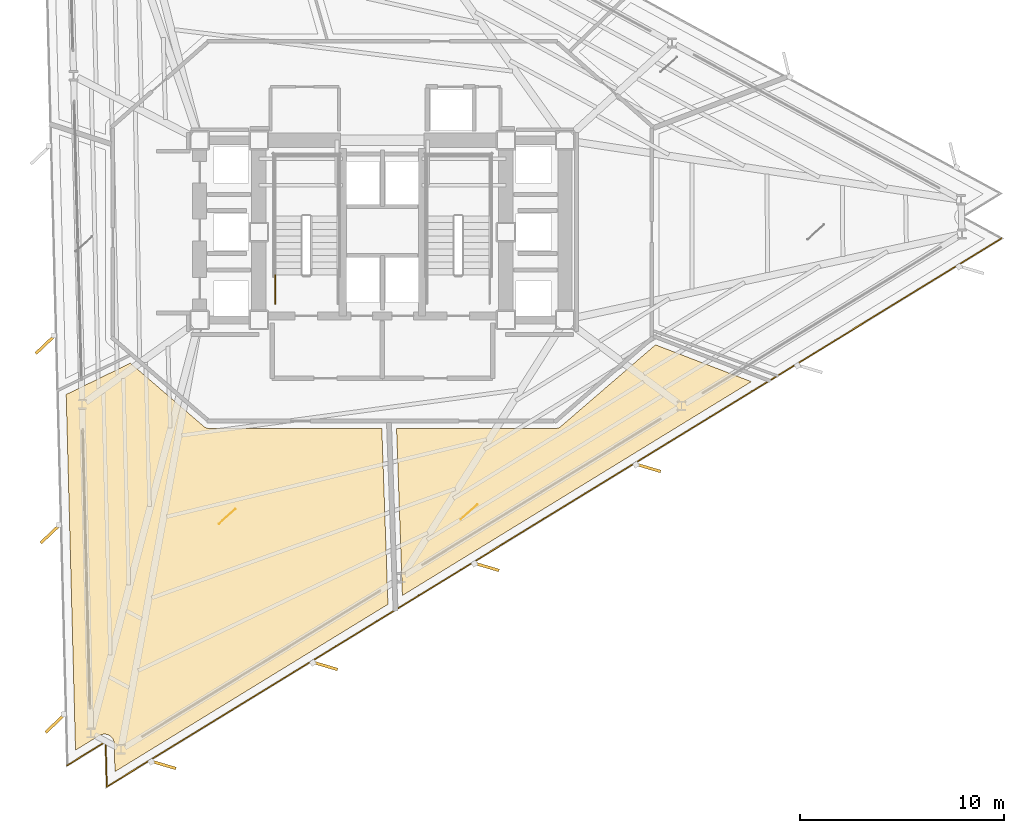
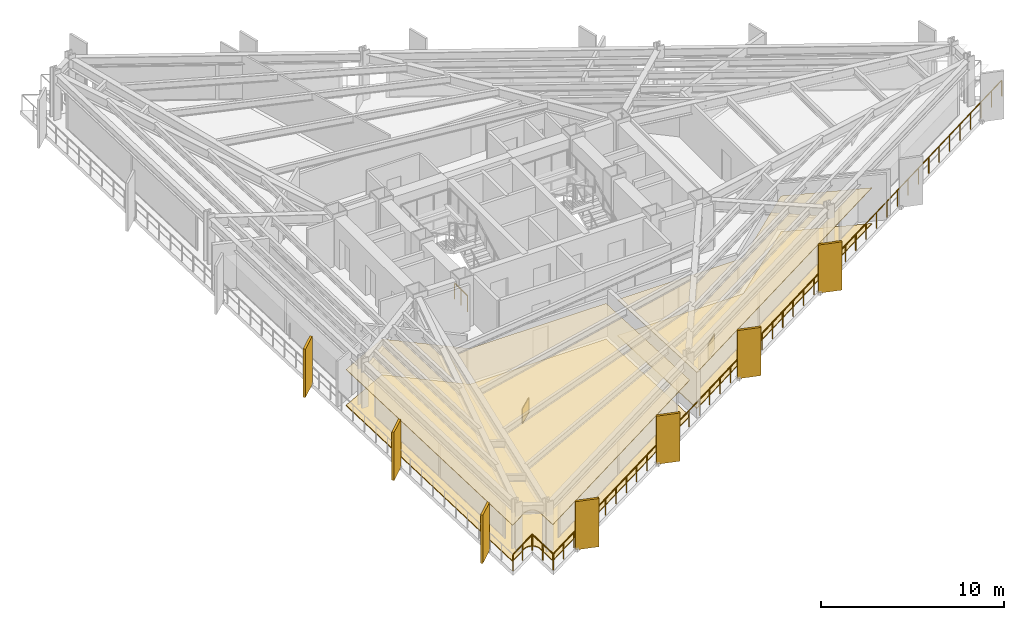
# One storey, part 10 of 14: 7 shading devices, 6 coverings, 2 railings.
"""IFC4 building model written with IfcOpenShell, lengths in metres."""

from ifc_helpers import new_model, si_unit, direction, frame, origin, origin_2d, place, context, subcontext, project, spatial, polyline, rectangle, outline, extrude, material, layer, layer_set, type_object, element, save


model = new_model("IFC4")

# Units and contexts
model_context = context("Model", 3, precision=1e-05, world=origin(), true_north=direction((0.0, 1.0)))
body_context = subcontext(model_context, "Body", "Model", "MODEL_VIEW")
ifc_project = project(units=[si_unit("LENGTHUNIT", "METRE"), si_unit("AREAUNIT", "SQUARE_METRE"), si_unit("VOLUMEUNIT", "CUBIC_METRE"), si_unit("PLANEANGLEUNIT", "RADIAN"), si_unit("MASSUNIT", "GRAM", prefix="KILO")], contexts=[model_context])

# Site, building, storey
site_placement = place(None, origin())
site = spatial("IfcSite", under=ifc_project, at=site_placement, CompositionType="ELEMENT")
building_placement = place(site_placement, origin())
building = spatial("IfcBuilding", under=site, at=building_placement, Name="Rocaltana Carrier Exchange", CompositionType="ELEMENT")
storey_placement = place(building_placement, frame((0.0, 0.0, 22.239990234375)))
storey = spatial("IfcBuildingStorey", under=building, at=storey_placement, Name="L07", CompositionType="ELEMENT", Elevation=22.239990234375)

# Coverings
ifc_material_1 = material(Name="Calcium Sulphate & Aluminium Pedestal", Category="aluminium")
ifc_layer_1 = layer(ifc_material_1, 0.06005859375)
ifc_layer_set_1 = layer_set([ifc_layer_1], Name="Calcium Sulphate & Aluminium Pedestal")
covering_type_1 = type_object("IfcCoveringType", Name="Anti-Static Raised Exchange Access Floor 60", PredefinedType="FLOORING", material=ifc_layer_set_1)
covering_1_placement = place(storey_placement, origin())
element("IfcCovering", 1, at=covering_1_placement, inside=storey, type_object=covering_type_1, Name="L07 Network Operations Office Finish Floor", PredefinedType="FLOORING", context=body_context, shape_type="SweptSolid", body=[
    extrude(outline(polyline([(-13.12939453125, -25.05224609375), (-13.1298828125, -25.038330078125), (-13.131591796875, -25.018310546875), (-13.135009765625, -24.99072265625), (-13.138427734375, -24.97119140625), (-13.144775390625, -24.94384765625), (-13.150146484375, -24.9248046875), (-13.1591796875, -24.898193359375), (-13.16650390625, -24.879638671875), (-13.177978515625, -24.854248046875), (-13.18701171875, -24.83642578125), (-13.200927734375, -24.8125), (-13.2119140625, -24.795654296875), (-13.228271484375, -24.77294921875), (-13.240478515625, -24.75732421875), (-13.259033203125, -24.736572265625), (-13.273193359375, -24.722412109375), (-13.29345703125, -24.703369140625), (-13.308837890625, -24.6904296875), (-13.3310546875, -24.673583984375), (-13.34765625, -24.66259765625), (-13.371337890625, -24.64794921875), (-13.388916015625, -24.638427734375), (-13.4140625, -24.626220703125), (-13.4326171875, -24.61865234375), (-13.458740234375, -24.609130859375), (-13.477783203125, -24.603271484375), (-13.5048828125, -24.596435546875), (-13.5244140625, -24.592529296875), (-13.552001953125, -24.58837890625), (-13.57177734375, -24.58642578125), (-13.599609375, -24.5849609375), (-13.61962890625, -24.585205078125), (-13.6474609375, -24.58642578125), (-13.66748046875, -24.58837890625), (-13.695068359375, -24.5927734375), (-13.714599609375, -24.5966796875), (-13.74169921875, -24.603515625), (-13.760498046875, -24.609619140625), (-13.786865234375, -24.619140625), (-13.80517578125, -24.626708984375), (-13.830322265625, -24.638916015625), (-13.847900390625, -24.6484375), (-13.85986328125, -24.655517578125), (-15.02685546875, -25.37060546875), (-15.48291015625, -7.9521484375), (-12.337890625, -6.418212890625), (-8.735107421875, -9.522705078125), (-8.72412109375, -9.53173828125), (-8.717529296875, -9.53662109375), (-8.6943359375, -9.552978515625), (-8.6875, -9.557373046875), (-8.66259765625, -9.571044921875), (-8.6552734375, -9.57470703125), (-8.629150390625, -9.5859375), (-8.62158203125, -9.5888671875), (-8.594482421875, -9.597412109375), (-8.58642578125, -9.599365234375), (-8.55859375, -9.60498046875), (-8.550537109375, -9.606201171875), (-8.522216796875, -9.609130859375), (-8.51416015625, -9.609619140625), (-8.5, -9.610107421875), (-0.024658203125, -9.610107421875), (0.2763671875, -18.2275390625), (-13.093505859375, -26.42041015625), (-13.12939453125, -25.05224609375)])), origin(), (0.0, 0.0, 1.0), 0.06005859375),
])
covering_2_placement = place(storey_placement, origin())
element("IfcCovering", 2, at=covering_2_placement, inside=storey, type_object=covering_type_1, Name="L07 Cloud Architecture Office Finish Floor", PredefinedType="FLOORING", context=body_context, shape_type="SweptSolid", body=[
    extrude(outline(polyline([(0.981689453125, -17.795166015625), (0.69580078125, -9.610107421875), (8.5, -9.610107421875), (8.51416015625, -9.609619140625), (8.522216796875, -9.609130859375), (8.550537109375, -9.606201171875), (8.55859375, -9.60498046875), (8.58642578125, -9.599365234375), (8.594482421875, -9.597412109375), (8.62158203125, -9.5888671875), (8.629150390625, -9.5859375), (8.6552734375, -9.57470703125), (8.66259765625, -9.571044921875), (8.6875, -9.557373046875), (8.6943359375, -9.552978515625), (8.717529296875, -9.53662109375), (8.72412109375, -9.53173828125), (8.735107421875, -9.522705078125), (13.378662109375, -5.521240234375), (18.0712890625, -7.322509765625), (0.981689453125, -17.795166015625)])), origin(), (0.0, 0.0, 1.0), 0.06005859375),
])
ifc_material_2 = material(Name="Mineral Fibre & Powder-Coated Aluminium", Category="aluminium")
ifc_layer_2 = layer(ifc_material_2, 0.044921875)
ifc_layer_set_2 = layer_set([ifc_layer_2], Name="Mineral Fibre & Powder-Coated Aluminium")
covering_type_2 = type_object("IfcCoveringType", Name="Micro-Perforated Acoustic Ceiling 45", PredefinedType="CEILING", material=ifc_layer_set_2)
covering_3_placement = place(storey_placement, frame((0.0, 0.0, 2.403076171875)))
element("IfcCovering", 3, at=covering_3_placement, inside=storey, type_object=covering_type_2, Name="L07 Network Operations Office Acoustic Ceiling", PredefinedType="CEILING", context=body_context, shape_type="SweptSolid", body=[
    extrude(outline(polyline([(-13.12939453125, -25.05224609375), (-13.1298828125, -25.038330078125), (-13.131591796875, -25.018310546875), (-13.135009765625, -24.99072265625), (-13.138427734375, -24.97119140625), (-13.144775390625, -24.94384765625), (-13.150146484375, -24.9248046875), (-13.1591796875, -24.898193359375), (-13.16650390625, -24.879638671875), (-13.177978515625, -24.854248046875), (-13.18701171875, -24.83642578125), (-13.200927734375, -24.8125), (-13.2119140625, -24.795654296875), (-13.228271484375, -24.77294921875), (-13.240478515625, -24.75732421875), (-13.259033203125, -24.736572265625), (-13.273193359375, -24.722412109375), (-13.29345703125, -24.703369140625), (-13.308837890625, -24.6904296875), (-13.3310546875, -24.673583984375), (-13.34765625, -24.66259765625), (-13.371337890625, -24.64794921875), (-13.388916015625, -24.638427734375), (-13.4140625, -24.626220703125), (-13.4326171875, -24.61865234375), (-13.458740234375, -24.609130859375), (-13.477783203125, -24.603271484375), (-13.5048828125, -24.596435546875), (-13.5244140625, -24.592529296875), (-13.552001953125, -24.58837890625), (-13.57177734375, -24.58642578125), (-13.599609375, -24.5849609375), (-13.61962890625, -24.585205078125), (-13.6474609375, -24.58642578125), (-13.66748046875, -24.58837890625), (-13.695068359375, -24.5927734375), (-13.714599609375, -24.5966796875), (-13.74169921875, -24.603515625), (-13.760498046875, -24.609619140625), (-13.786865234375, -24.619140625), (-13.80517578125, -24.626708984375), (-13.830322265625, -24.638916015625), (-13.847900390625, -24.6484375), (-13.85986328125, -24.655517578125), (-15.02685546875, -25.37060546875), (-15.48291015625, -7.9521484375), (-12.337890625, -6.418212890625), (-8.735107421875, -9.522705078125), (-8.72412109375, -9.53173828125), (-8.717529296875, -9.53662109375), (-8.6943359375, -9.552978515625), (-8.6875, -9.557373046875), (-8.66259765625, -9.571044921875), (-8.6552734375, -9.57470703125), (-8.629150390625, -9.5859375), (-8.62158203125, -9.5888671875), (-8.594482421875, -9.597412109375), (-8.58642578125, -9.599365234375), (-8.55859375, -9.60498046875), (-8.550537109375, -9.606201171875), (-8.522216796875, -9.609130859375), (-8.51416015625, -9.609619140625), (-8.5, -9.610107421875), (-0.024658203125, -9.610107421875), (0.2763671875, -18.2275390625), (-13.093505859375, -26.42041015625), (-13.12939453125, -25.05224609375)])), origin(), (0.0, 0.0, 1.0), 0.044921875),
])
covering_4_placement = place(storey_placement, frame((0.0, 0.0, 2.403076171875)))
element("IfcCovering", 4, at=covering_4_placement, inside=storey, type_object=covering_type_2, Name="L07 Cloud Architecture Office Acoustic Ceiling", PredefinedType="CEILING", context=body_context, shape_type="SweptSolid", body=[
    extrude(outline(polyline([(0.981689453125, -17.795166015625), (0.69580078125, -9.610107421875), (8.5, -9.610107421875), (8.51416015625, -9.609619140625), (8.522216796875, -9.609130859375), (8.550537109375, -9.606201171875), (8.55859375, -9.60498046875), (8.58642578125, -9.599365234375), (8.594482421875, -9.597412109375), (8.62158203125, -9.5888671875), (8.629150390625, -9.5859375), (8.6552734375, -9.57470703125), (8.66259765625, -9.571044921875), (8.6875, -9.557373046875), (8.6943359375, -9.552978515625), (8.717529296875, -9.53662109375), (8.72412109375, -9.53173828125), (8.735107421875, -9.522705078125), (13.378662109375, -5.521240234375), (18.0712890625, -7.322509765625), (0.981689453125, -17.795166015625)])), origin(), (0.0, 0.0, 1.0), 0.044921875),
])

# Railing
ifc_material_3 = material(Name="Powder-Coated Aluminium 6063-T6", Category="aluminium")
ifc_layer_3 = layer(ifc_material_3, 0.048095703125)
ifc_layer_set_3 = layer_set([ifc_layer_3], Name="Powder-Coated Aluminium 6063-T6")
railing_type_1 = type_object("IfcRailingType", Name="Stair Well Guardrail 1100", PredefinedType="GUARDRAIL", material=ifc_layer_set_3)
railing_1_placement = place(storey_placement, frame((-5.25, -3.5, 0.0)))
element("IfcRailing", 5, at=railing_1_placement, inside=storey, type_object=railing_type_1, Name="L07 ST-1 stair guard 9", PredefinedType="GUARDRAIL", context=body_context, shape_type="SweptSolid", body=[
    extrude(rectangle(XDim=0.048095703125, YDim=0.048095703125, at=origin_2d()), frame((0.0, 0.0, 1.076171875), z_axis=(0.0, 1.0, 0.0), x_axis=(-1.0, 0.0, 0.0)), (0.0, 0.0, 1.0), 1.39990234375),
    extrude(rectangle(XDim=0.0419921875, YDim=0.0419921875, at=origin_2d()), origin(), (0.0, 0.0, 1.0), 1.052001953125),
    extrude(rectangle(XDim=0.0419921875, YDim=0.0419921875, at=origin_2d()), frame((0.0, 0.699951171875, 0.0)), (0.0, 0.0, 1.0), 1.052001953125),
    extrude(rectangle(XDim=0.0419921875, YDim=0.0419921875, at=origin_2d()), frame((0.0, 1.39990234375, 0.0)), (0.0, 0.0, 1.0), 1.052001953125),
])

# Coverings
ifc_material_4 = material(Name="Honed Piedra Muneca Sandstone", Category="masonry")
ifc_layer_4 = layer(ifc_material_4, 0.034912109375)
ifc_layer_set_4 = layer_set([ifc_layer_4], Name="Honed Piedra Muneca Sandstone")
covering_type_3 = type_object("IfcCoveringType", Name="Stone Facade Cladding 35", PredefinedType="CLADDING", material=ifc_layer_set_4)
for number, where, z_axis, x_axis, name in (
    (6, (-7.600341796875, -13.918701171875, 0.0), (0.0, 0.0, 1.0), (0.743144825477, 0.669130606359, 0.0), "L07 Stone Facade Cladding Panel 2"),
    (7, (4.24951171875, -13.70263671875, 0.0), (0.0, 0.0, 1.0), (0.743144825477, 0.669130606359, 0.0), "L07 Stone Facade Cladding Panel 3"),
):
    element("IfcCovering", number, at=place(storey_placement, frame(where, z_axis=z_axis, x_axis=x_axis)), inside=storey, type_object=covering_type_3, Name=name, PredefinedType="CLADDING", context=body_context, shape_type="SweptSolid", body=[
        extrude(rectangle(XDim=1.10009765625, YDim=0.034912109375, at=origin_2d()), origin(), (0.0, 0.0, 1.0), 1.050048828125),
    ])

# Shading devices
ifc_material_5 = material(Name="Honed Bogota Sandstone & Concrete C45/55", Category="masonry")
ifc_layer_5 = layer(ifc_material_5, 0.139892578125)
ifc_layer_set_5 = layer_set([ifc_layer_5], Name="Honed Bogota Sandstone & Concrete C45/55")
shading_device_type = type_object("IfcShadingDeviceType", Name="Vertical Sandstone Shading Fin 1320x140", PredefinedType="USERDEFINED", material=ifc_layer_set_5)
for number, where, z_axis, x_axis, name in (
    (8, (-16.488525390625, -5.48828125, -0.1201171875), (0.0, 0.0, 1.0), (-0.725374371012, -0.688354575694, 0.0), "L07 Sandstone Vertical Fin F2-04"),
    (9, (-16.24560546875, -14.76513671875, -0.1201171875), (0.0, 0.0, 1.0), (-0.725374371012, -0.688354575694, 0.0), "L07 Sandstone Vertical Fin F2-05"),
    (10, (-16.002685546875, -24.0419921875, -0.1201171875), (0.0, 0.0, 1.0), (-0.725374371012, -0.688354575694, 0.0), "L07 Sandstone Vertical Fin F2-06"),
    (11, (-10.740234375, -26.081787109375, -0.1201171875), (0.0, 0.0, 1.0), (0.958819734868, -0.284015344704, 0.0), "L07 Sandstone Vertical Fin F3-01"),
    (12, (-2.82763671875, -21.23291015625, -0.1201171875), (0.0, 0.0, 1.0), (0.958819734868, -0.284015344704, 0.0), "L07 Sandstone Vertical Fin F3-02"),
    (13, (5.084716796875, -16.384033203125, -0.1201171875), (0.0, 0.0, 1.0), (0.958819734868, -0.284015344704, 0.0), "L07 Sandstone Vertical Fin F3-03"),
    (14, (12.997314453125, -11.535400390625, -0.1201171875), (0.0, 0.0, 1.0), (0.958819734868, -0.284015344704, 0.0), "L07 Sandstone Vertical Fin F3-04"),
):
    element("IfcShadingDevice", number, at=place(storey_placement, frame(where, z_axis=z_axis, x_axis=x_axis)), inside=storey, type_object=shading_device_type, Name=name, ObjectType="FIN", PredefinedType="USERDEFINED", context=body_context, shape_type="SweptSolid", body=[
        extrude(rectangle(XDim=1.320068359375, YDim=0.139892578125, at=origin_2d()), origin(), (0.0, 0.0, 1.0), 3.218017578125),
    ])

# Railing
ifc_material_6 = material(Name="Powder-Coated Aluminium 6063-T6", Category="aluminium")
ifc_layer_6 = layer(ifc_material_6, 0.06005859375)
ifc_layer_set_6 = layer_set([ifc_layer_6], Name="Powder-Coated Aluminium 6063-T6")
railing_type_2 = type_object("IfcRailingType", Name="Wind-Floor & Terrace Perimeter Guardrail 1100", PredefinedType="GUARDRAIL", material=ifc_layer_set_6)
railing_2_placement = place(storey_placement, frame((30.32470703125, -0.306396484375, 0.0)))
element("IfcRailing", 15, at=railing_2_placement, inside=storey, type_object=railing_type_2, Name="L07 Perimeter Balcony Guardrail 1", PredefinedType="GUARDRAIL", context=body_context, shape_type="SweptSolid", body=[
    extrude(rectangle(XDim=0.048095703125, YDim=0.048095703125, at=origin_2d()), frame((0.0, 0.0, 1.076171875), z_axis=(-0.852639552838, -0.522499562619, 0.0), x_axis=(0.522499562619, -0.852639552838, 0.0)), (0.0, 0.0, 1.0), 51.39208984375),
    extrude(rectangle(XDim=0.048095703125, YDim=0.048095703125, at=origin_2d()), frame((-43.81884765625, -26.852294921875, 1.076171875), z_axis=(-0.026187042546, 0.999657060598, 0.0), x_axis=(-0.999657060598, -0.026187042546, 0.0)), (0.0, 0.0, 1.0), 2.2001953125),
    extrude(rectangle(XDim=0.048095703125, YDim=0.048095703125, at=origin_2d()), frame((-43.87646484375, -24.65283203125, 1.076171875), z_axis=(-0.852598062579, -0.522567262356, 0.0), x_axis=(0.522567262356, -0.852598062579, 0.0)), (0.0, 0.0, 1.0), 2.199951171875),
    extrude(rectangle(XDim=0.0419921875, YDim=0.0419921875, at=origin_2d()), origin(), (0.0, 0.0, 1.0), 1.052001953125),
    extrude(rectangle(XDim=0.0419921875, YDim=0.0419921875, at=origin_2d()), frame((-1.01904296875, -0.62451171875, 0.0)), (0.0, 0.0, 1.0), 1.052001953125),
    extrude(rectangle(XDim=0.0419921875, YDim=0.0419921875, at=origin_2d()), frame((-2.0380859375, -1.2490234375, 0.0)), (0.0, 0.0, 1.0), 1.052001953125),
    extrude(rectangle(XDim=0.0419921875, YDim=0.0419921875, at=origin_2d()), frame((-3.05712890625, -1.87353515625, 0.0)), (0.0, 0.0, 1.0), 1.052001953125),
    extrude(rectangle(XDim=0.0419921875, YDim=0.0419921875, at=origin_2d()), frame((-4.076171875, -2.497802734375, 0.0)), (0.0, 0.0, 1.0), 1.052001953125),
    extrude(rectangle(XDim=0.0419921875, YDim=0.0419921875, at=origin_2d()), frame((-5.09521484375, -3.122314453125, 0.0)), (0.0, 0.0, 1.0), 1.052001953125),
    extrude(rectangle(XDim=0.0419921875, YDim=0.0419921875, at=origin_2d()), frame((-6.1142578125, -3.746826171875, 0.0)), (0.0, 0.0, 1.0), 1.052001953125),
    extrude(rectangle(XDim=0.0419921875, YDim=0.0419921875, at=origin_2d()), frame((-7.13330078125, -4.371337890625, 0.0)), (0.0, 0.0, 1.0), 1.052001953125),
    extrude(rectangle(XDim=0.0419921875, YDim=0.0419921875, at=origin_2d()), frame((-8.15234375, -4.995849609375, 0.0)), (0.0, 0.0, 1.0), 1.052001953125),
    extrude(rectangle(XDim=0.0419921875, YDim=0.0419921875, at=origin_2d()), frame((-9.17138671875, -5.620361328125, 0.0)), (0.0, 0.0, 1.0), 1.052001953125),
    extrude(rectangle(XDim=0.0419921875, YDim=0.0419921875, at=origin_2d()), frame((-10.1904296875, -6.24462890625, 0.0)), (0.0, 0.0, 1.0), 1.052001953125),
    extrude(rectangle(XDim=0.0419921875, YDim=0.0419921875, at=origin_2d()), frame((-11.20947265625, -6.869140625, 0.0)), (0.0, 0.0, 1.0), 1.052001953125),
    extrude(rectangle(XDim=0.0419921875, YDim=0.0419921875, at=origin_2d()), frame((-12.228515625, -7.49365234375, 0.0)), (0.0, 0.0, 1.0), 1.052001953125),
    extrude(rectangle(XDim=0.0419921875, YDim=0.0419921875, at=origin_2d()), frame((-13.24755859375, -8.1181640625, 0.0)), (0.0, 0.0, 1.0), 1.052001953125),
    extrude(rectangle(XDim=0.0419921875, YDim=0.0419921875, at=origin_2d()), frame((-14.2666015625, -8.74267578125, 0.0)), (0.0, 0.0, 1.0), 1.052001953125),
    extrude(rectangle(XDim=0.0419921875, YDim=0.0419921875, at=origin_2d()), frame((-15.28564453125, -9.3671875, 0.0)), (0.0, 0.0, 1.0), 1.052001953125),
    extrude(rectangle(XDim=0.0419921875, YDim=0.0419921875, at=origin_2d()), frame((-16.3046875, -9.991455078125, 0.0)), (0.0, 0.0, 1.0), 1.052001953125),
    extrude(rectangle(XDim=0.0419921875, YDim=0.0419921875, at=origin_2d()), frame((-17.32373046875, -10.615966796875, 0.0)), (0.0, 0.0, 1.0), 1.052001953125),
    extrude(rectangle(XDim=0.0419921875, YDim=0.0419921875, at=origin_2d()), frame((-18.3427734375, -11.240478515625, 0.0)), (0.0, 0.0, 1.0), 1.052001953125),
    extrude(rectangle(XDim=0.0419921875, YDim=0.0419921875, at=origin_2d()), frame((-19.36181640625, -11.864990234375, 0.0)), (0.0, 0.0, 1.0), 1.052001953125),
    extrude(rectangle(XDim=0.0419921875, YDim=0.0419921875, at=origin_2d()), frame((-20.380859375, -12.489501953125, 0.0)), (0.0, 0.0, 1.0), 1.052001953125),
    extrude(rectangle(XDim=0.0419921875, YDim=0.0419921875, at=origin_2d()), frame((-21.39990234375, -13.114013671875, 0.0)), (0.0, 0.0, 1.0), 1.052001953125),
    extrude(rectangle(XDim=0.0419921875, YDim=0.0419921875, at=origin_2d()), frame((-22.4189453125, -13.73828125, 0.0)), (0.0, 0.0, 1.0), 1.052001953125),
    extrude(rectangle(XDim=0.0419921875, YDim=0.0419921875, at=origin_2d()), frame((-23.43798828125, -14.36279296875, 0.0)), (0.0, 0.0, 1.0), 1.052001953125),
    extrude(rectangle(XDim=0.0419921875, YDim=0.0419921875, at=origin_2d()), frame((-24.45703125, -14.9873046875, 0.0)), (0.0, 0.0, 1.0), 1.052001953125),
    extrude(rectangle(XDim=0.0419921875, YDim=0.0419921875, at=origin_2d()), frame((-25.47607421875, -15.61181640625, 0.0)), (0.0, 0.0, 1.0), 1.052001953125),
    extrude(rectangle(XDim=0.0419921875, YDim=0.0419921875, at=origin_2d()), frame((-26.4951171875, -16.236328125, 0.0)), (0.0, 0.0, 1.0), 1.052001953125),
    extrude(rectangle(XDim=0.0419921875, YDim=0.0419921875, at=origin_2d()), frame((-27.51416015625, -16.86083984375, 0.0)), (0.0, 0.0, 1.0), 1.052001953125),
    extrude(rectangle(XDim=0.0419921875, YDim=0.0419921875, at=origin_2d()), frame((-28.533203125, -17.485107421875, 0.0)), (0.0, 0.0, 1.0), 1.052001953125),
    extrude(rectangle(XDim=0.0419921875, YDim=0.0419921875, at=origin_2d()), frame((-29.55224609375, -18.109619140625, 0.0)), (0.0, 0.0, 1.0), 1.052001953125),
    extrude(rectangle(XDim=0.0419921875, YDim=0.0419921875, at=origin_2d()), frame((-30.5712890625, -18.734130859375, 0.0)), (0.0, 0.0, 1.0), 1.052001953125),
    extrude(rectangle(XDim=0.0419921875, YDim=0.0419921875, at=origin_2d()), frame((-31.59033203125, -19.358642578125, 0.0)), (0.0, 0.0, 1.0), 1.052001953125),
    extrude(rectangle(XDim=0.0419921875, YDim=0.0419921875, at=origin_2d()), frame((-32.609375, -19.983154296875, 0.0)), (0.0, 0.0, 1.0), 1.052001953125),
    extrude(rectangle(XDim=0.0419921875, YDim=0.0419921875, at=origin_2d()), frame((-33.62841796875, -20.607666015625, 0.0)), (0.0, 0.0, 1.0), 1.052001953125),
    extrude(rectangle(XDim=0.0419921875, YDim=0.0419921875, at=origin_2d()), frame((-34.6474609375, -21.23193359375, 0.0)), (0.0, 0.0, 1.0), 1.052001953125),
    extrude(rectangle(XDim=0.0419921875, YDim=0.0419921875, at=origin_2d()), frame((-35.66650390625, -21.8564453125, 0.0)), (0.0, 0.0, 1.0), 1.052001953125),
    extrude(rectangle(XDim=0.0419921875, YDim=0.0419921875, at=origin_2d()), frame((-36.685546875, -22.48095703125, 0.0)), (0.0, 0.0, 1.0), 1.052001953125),
    extrude(rectangle(XDim=0.0419921875, YDim=0.0419921875, at=origin_2d()), frame((-37.70458984375, -23.10546875, 0.0)), (0.0, 0.0, 1.0), 1.052001953125),
    extrude(rectangle(XDim=0.0419921875, YDim=0.0419921875, at=origin_2d()), frame((-38.7236328125, -23.72998046875, 0.0)), (0.0, 0.0, 1.0), 1.052001953125),
    extrude(rectangle(XDim=0.0419921875, YDim=0.0419921875, at=origin_2d()), frame((-39.74267578125, -24.3544921875, 0.0)), (0.0, 0.0, 1.0), 1.052001953125),
    extrude(rectangle(XDim=0.0419921875, YDim=0.0419921875, at=origin_2d()), frame((-40.76171875, -24.978759765625, 0.0)), (0.0, 0.0, 1.0), 1.052001953125),
    extrude(rectangle(XDim=0.0419921875, YDim=0.0419921875, at=origin_2d()), frame((-41.78076171875, -25.603271484375, 0.0)), (0.0, 0.0, 1.0), 1.052001953125),
    extrude(rectangle(XDim=0.0419921875, YDim=0.0419921875, at=origin_2d()), frame((-42.7998046875, -26.227783203125, 0.0)), (0.0, 0.0, 1.0), 1.052001953125),
    extrude(rectangle(XDim=0.0419921875, YDim=0.0419921875, at=origin_2d()), frame((-43.81884765625, -26.852294921875, 0.0)), (0.0, 0.0, 1.0), 1.052001953125),
    extrude(rectangle(XDim=0.0419921875, YDim=0.0419921875, at=origin_2d()), frame((-43.84765625, -25.75244140625, 0.0)), (0.0, 0.0, 1.0), 1.052001953125),
    extrude(rectangle(XDim=0.0419921875, YDim=0.0419921875, at=origin_2d()), frame((-43.87646484375, -24.65283203125, 0.0)), (0.0, 0.0, 1.0), 1.052001953125),
    extrude(rectangle(XDim=0.0419921875, YDim=0.0419921875, at=origin_2d()), frame((-44.814453125, -25.2275390625, 0.0)), (0.0, 0.0, 1.0), 1.052001953125),
    extrude(rectangle(XDim=0.0419921875, YDim=0.0419921875, at=origin_2d()), frame((-45.752197265625, -25.802490234375, 0.0)), (0.0, 0.0, 1.0), 1.052001953125),
])

save(model, "model.ifc")
